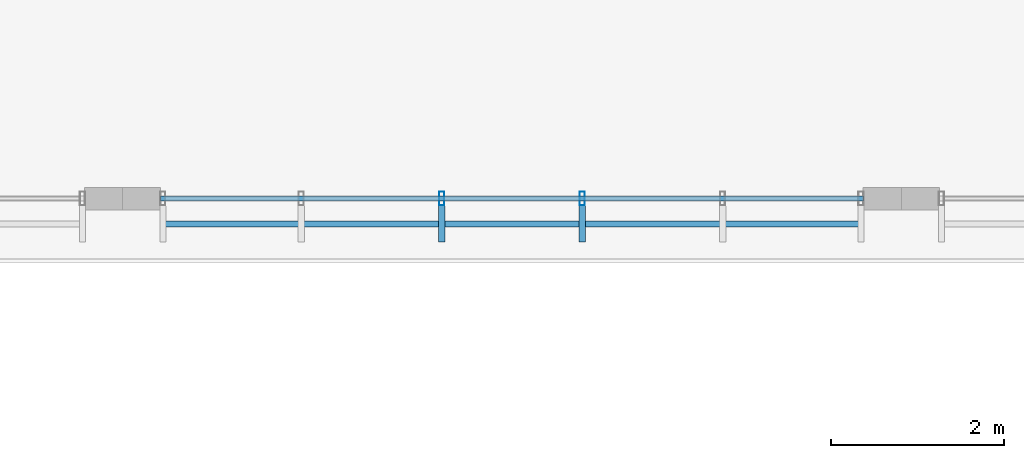
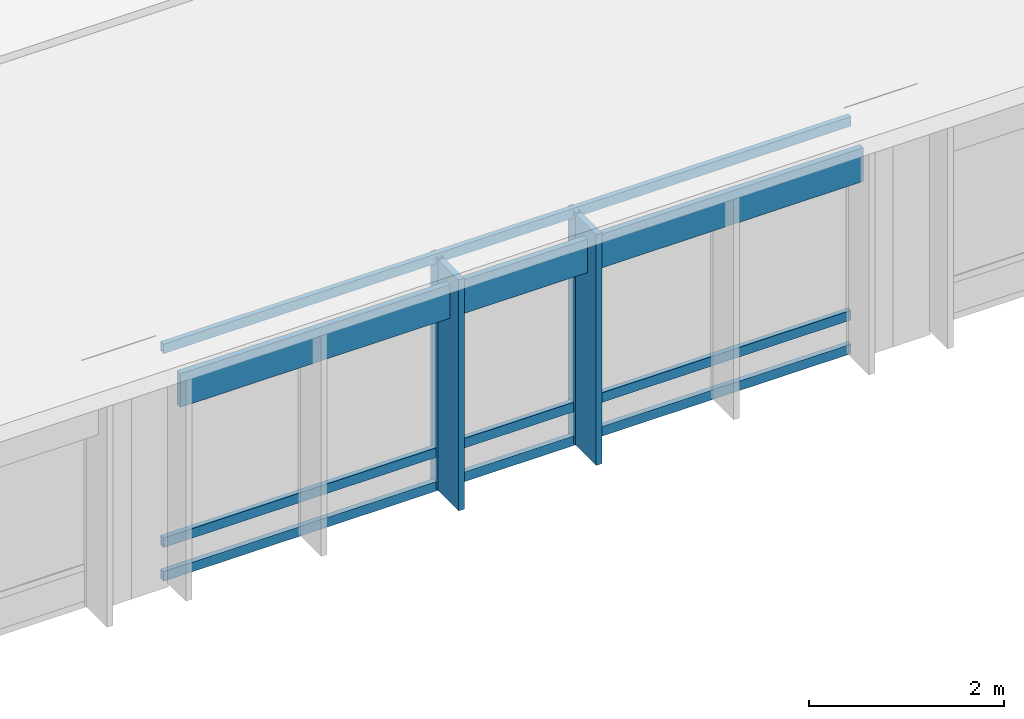
# One storey, part 31 of 182: 8 members, 1 element without a shape of its own.
"""IFC4 building model written with IfcOpenShell, lengths in metres."""

from ifc_helpers import new_model, si_unit, direction, frame, origin, origin_2d, place, context, subcontext, project, spatial, rectangle, hollow_rectangle, extrude, material, material_profile, profile_set, type_object, element, aggregate, save


model = new_model("IFC4")

# Units and contexts
model_context = context("Model", 3, precision=1e-05, world=origin(), true_north=direction((0.0, 1.0)))
body_context = subcontext(model_context, "Body", "Model", "MODEL_VIEW")
ifc_project = project(units=[si_unit("LENGTHUNIT", "METRE"), si_unit("AREAUNIT", "SQUARE_METRE"), si_unit("VOLUMEUNIT", "CUBIC_METRE"), si_unit("PLANEANGLEUNIT", "RADIAN"), si_unit("MASSUNIT", "GRAM", prefix="KILO")], contexts=[model_context])

# Site, building, storey
site_placement = place(None, origin())
site = spatial("IfcSite", under=ifc_project, at=site_placement, CompositionType="ELEMENT")
building_placement = place(site_placement, origin())
building = spatial("IfcBuilding", under=site, at=building_placement, Name="Chiffa Square Polytechnic", CompositionType="ELEMENT")
storey_placement = place(building_placement, frame((0.0, 0.0, 9.60009765625)))
storey = spatial("IfcBuildingStorey", under=building, at=storey_placement, Name="L02", CompositionType="ELEMENT", Elevation=9.60009765625)

# Curtain wall, members
ifc_material_1 = material(Name="Aluminium EN AW-6060 T66 and glulam shading", Category="wood")
curtain_wall_type = type_object("IfcCurtainWallType", Name="CW-VERT-450X380", PredefinedType="USERDEFINED", material=ifc_material_1)
curtain_wall_placement = place(storey_placement, origin())
curtain_wall = element("IfcCurtainWall", 1, at=curtain_wall_placement, inside=storey, type_object=curtain_wall_type, Name="Curtain wall CW-V4-CLRS-02", ObjectType="CURTAIN WALL", PredefinedType="USERDEFINED")
ifc_material_2 = material(Name="Aluminium EN AW-6060 T66", Category="aluminium")
ifc_material_profile_1 = material_profile(ifc_material_2, hollow_rectangle(XDim=0.06005859375, YDim=0.159912109375, WallThickness=0.00390625, at=origin_2d()), Name="ALU 60x160x4")
ifc_profile_set_1 = profile_set([ifc_material_profile_1], Name="Aluminium EN AW-6060 T66")
member_type_1 = type_object("IfcMemberType", Name="CWM-ALU-65X150", PredefinedType="MULLION", material=ifc_profile_set_1)
member_1_placement = place(storey_placement, frame((61.2880859375, 21.60009765625, 0.039794921875), z_axis=(0.0, 0.0, 1.0), x_axis=(1.0, 0.0, 0.0)))
member_1 = element("IfcMember", 2, at=member_1_placement, type_object=member_type_1, Name="Curtain wall mullion CW-V4-CLRS-02-M02", PredefinedType="MULLION", context=body_context, shape_type="SweptSolid", body=[
    extrude(hollow_rectangle(XDim=0.06005859375, YDim=0.159912109375, WallThickness=0.00390625, at=origin_2d()), origin(), (0.0, 0.0, 1.0), 2.902099609375),
])
member_2_placement = place(storey_placement, frame((62.912109375, 21.60009765625, 0.039794921875), z_axis=(0.0, 0.0, 1.0), x_axis=(1.0, 0.0, 0.0)))
member_2 = element("IfcMember", 3, at=member_2_placement, type_object=member_type_1, Name="Curtain wall mullion CW-V4-CLRS-02-M03", PredefinedType="MULLION", context=body_context, shape_type="SweptSolid", body=[
    extrude(hollow_rectangle(XDim=0.06005859375, YDim=0.159912109375, WallThickness=0.00390625, at=origin_2d()), origin(), (0.0, 0.0, 1.0), 2.902099609375),
])
ifc_material_3 = material(Name="Glulam GL28h", Category="wood")
ifc_material_profile_2 = material_profile(ifc_material_3, rectangle(XDim=0.070068359375, YDim=0.419921875, at=origin_2d()), Name="GL28h 70x420")
ifc_profile_set_2 = profile_set([ifc_material_profile_2], Name="Glulam GL28h")
member_type_2 = type_object("IfcMemberType", Name="CWM-GL-70X420", PredefinedType="MULLION", material=ifc_profile_set_2)
member_3_placement = place(storey_placement, frame((61.2880859375, 21.30810546875, 0.0498046875), z_axis=(0.0, 0.0, 1.0), x_axis=(1.0, 0.0, 0.0)))
member_3 = element("IfcMember", 4, at=member_3_placement, type_object=member_type_2, Name="Exterior glulam solar fin CW-V4-CLRS-02-FN02", PredefinedType="MULLION", context=body_context, shape_type="SweptSolid", body=[
    extrude(rectangle(XDim=0.070068359375, YDim=0.419921875, at=origin_2d()), origin(), (0.0, 0.0, 1.0), 2.882080078125),
])
member_4_placement = place(storey_placement, frame((62.912109375, 21.30810546875, 0.0498046875), z_axis=(0.0, 0.0, 1.0), x_axis=(1.0, 0.0, 0.0)))
member_4 = element("IfcMember", 5, at=member_4_placement, type_object=member_type_2, Name="Exterior glulam solar fin CW-V4-CLRS-02-FN03", PredefinedType="MULLION", context=body_context, shape_type="SweptSolid", body=[
    extrude(rectangle(XDim=0.070068359375, YDim=0.419921875, at=origin_2d()), origin(), (0.0, 0.0, 1.0), 2.882080078125),
])
ifc_material_profile_3 = material_profile(ifc_material_2, hollow_rectangle(XDim=0.06005859375, YDim=0.1201171875, WallThickness=0.00390625, at=origin_2d()), Name="ALU 60x120x4")
ifc_profile_set_3 = profile_set([ifc_material_profile_3], Name="Aluminium EN AW-6060 T66")
member_type_3 = type_object("IfcMemberType", Name="CWT-ALU-65X120", PredefinedType="USERDEFINED", material=ifc_profile_set_3)
member_5_placement = place(storey_placement, frame((58.0380859375, 21.60009765625, 0.06982421875), z_axis=(1.0, 0.0, 0.0), x_axis=(0.0, 1.0, 0.0)))
member_5 = element("IfcMember", 6, at=member_5_placement, type_object=member_type_3, Name="Curtain wall transom CW-V4-CLRS-02-T01", ObjectType="TRANSOM", PredefinedType="USERDEFINED", context=body_context, shape_type="SweptSolid", body=[
    extrude(hollow_rectangle(XDim=0.06005859375, YDim=0.1201171875, WallThickness=0.00390625, at=origin_2d()), origin(), (0.0, 0.0, 1.0), 8.1240234375),
])
member_6_placement = place(storey_placement, frame((58.0380859375, 21.60009765625, 0.489990234375), z_axis=(1.0, 0.0, 0.0), x_axis=(0.0, 1.0, 0.0)))
member_6 = element("IfcMember", 7, at=member_6_placement, type_object=member_type_3, Name="Curtain wall transom CW-V4-CLRS-02-T02", ObjectType="TRANSOM", PredefinedType="USERDEFINED", context=body_context, shape_type="SweptSolid", body=[
    extrude(hollow_rectangle(XDim=0.06005859375, YDim=0.1201171875, WallThickness=0.00390625, at=origin_2d()), origin(), (0.0, 0.0, 1.0), 8.1240234375),
])
member_7_placement = place(storey_placement, frame((58.0380859375, 21.60009765625, 2.911865234375), z_axis=(1.0, 0.0, 0.0), x_axis=(0.0, 1.0, 0.0)))
member_7 = element("IfcMember", 8, at=member_7_placement, type_object=member_type_3, Name="Curtain wall transom CW-V4-CLRS-02-T03", ObjectType="TRANSOM", PredefinedType="USERDEFINED", context=body_context, shape_type="SweptSolid", body=[
    extrude(hollow_rectangle(XDim=0.06005859375, YDim=0.1201171875, WallThickness=0.00390625, at=origin_2d()), origin(), (0.0, 0.0, 1.0), 8.1240234375),
])
ifc_material_profile_4 = material_profile(ifc_material_3, rectangle(XDim=0.070068359375, YDim=0.419921875, at=origin_2d()), Name="GL28h 70x420")
ifc_profile_set_4 = profile_set([ifc_material_profile_4], Name="Glulam GL28h")
member_type_4 = type_object("IfcMemberType", Name="CWT-GL-70X420", PredefinedType="USERDEFINED", material=ifc_profile_set_4)
member_8_placement = place(storey_placement, frame((58.06494140625, 21.30810546875, 2.56201171875), z_axis=(1.0, 0.0, 0.0), x_axis=(0.0, 1.0, 0.0)))
member_8 = element("IfcMember", 9, at=member_8_placement, type_object=member_type_4, Name="Exterior glulam brise-soleil CW-V4-CLRS-02-BS01", ObjectType="TRANSOM", PredefinedType="USERDEFINED", context=body_context, shape_type="SweptSolid", body=[
    extrude(rectangle(XDim=0.070068359375, YDim=0.419921875, at=origin_2d()), origin(), (0.0, 0.0, 1.0), 8.070068359375),
])
aggregate(curtain_wall, [member_1, member_3, member_2, member_4, member_5, member_6, member_7, member_8])

save(model, "model.ifc")
